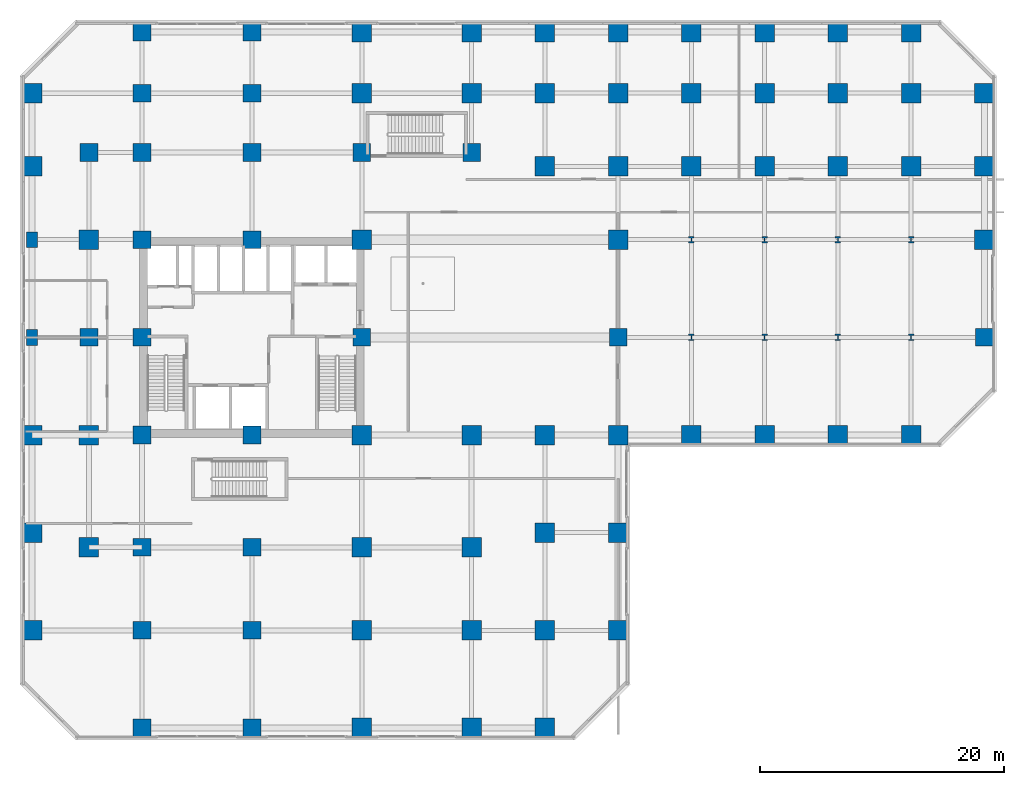
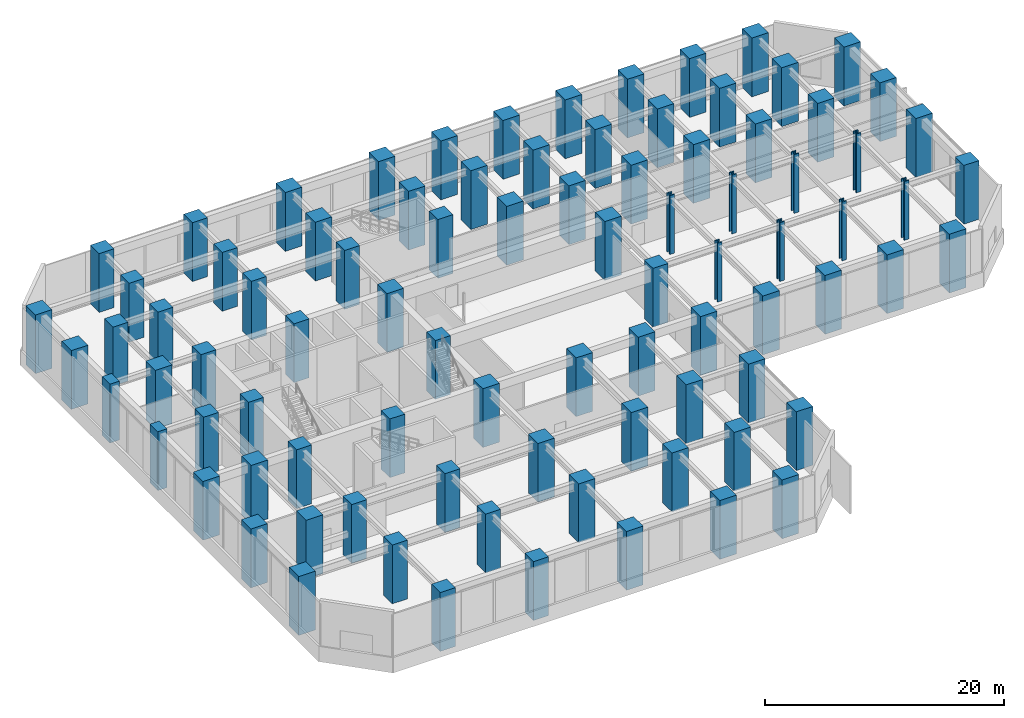
# One storey, part 1 of 34: 88 columns.
"""IFC4 building model written with IfcOpenShell, lengths in metres."""

from ifc_helpers import new_model, si_unit, direction, frame, origin, origin_2d, place, context, subcontext, project, spatial, rectangle, i_section, extrude, source, transform, mapped, material, material_profile, profile_set, type_object, element, save


model = new_model("IFC4")

# Units and contexts
model_context = context("Model", 3, precision=1e-05, world=origin(), true_north=direction((0.0, 1.0)))
body_context = subcontext(model_context, "Body", "Model", "MODEL_VIEW")
ifc_project = project(units=[si_unit("LENGTHUNIT", "METRE"), si_unit("AREAUNIT", "SQUARE_METRE"), si_unit("VOLUMEUNIT", "CUBIC_METRE"), si_unit("PLANEANGLEUNIT", "RADIAN"), si_unit("MASSUNIT", "GRAM", prefix="KILO")], contexts=[model_context])

# Site, building, storey
site_placement = place(None, origin())
site = spatial("IfcSite", under=ifc_project, at=site_placement, CompositionType="ELEMENT")
building_placement = place(site_placement, origin())
building = spatial("IfcBuilding", under=site, at=building_placement, Name="Torre Montelarca", CompositionType="ELEMENT")
storey_placement = place(building_placement, frame((0.0, 0.0, 6.0)))
storey = spatial("IfcBuildingStorey", under=building, at=storey_placement, Name="L02", CompositionType="ELEMENT", Elevation=6.0)

# Columns
ifc_material_1 = material(Name="Concrete C70/85", Category="concrete")
ifc_material_profile_1 = material_profile(ifc_material_1, rectangle(XDim=1.60009765625, YDim=1.60009765625, at=origin_2d()), Name="RC1600X1600", Category="concrete")
ifc_profile_set_1 = profile_set([ifc_material_profile_1], Name="Concrete C70/85")
column_type_1 = type_object("IfcColumnType", Name="COL-RC1600-EXT", PredefinedType="COLUMN", material=ifc_profile_set_1)
shared_shape_1 = source(origin(), body_context, "Body", "SweptSolid", [
    extrude(rectangle(XDim=1.60009765625, YDim=1.60009765625, at=origin_2d()), origin(), (0.0, 0.0, 1.0), 5.99853515625),
])
for number, where, z_axis, x_axis, name in (
    (1, (0.0, 8.0, 0.000732421875), (0.0, 0.0, 1.0), (1.0, 0.0, 0.0), "L02 Perimeter Mega Column 1/B"),
    (2, (0.0, 16.0, 0.000732421875), (0.0, 0.0, 1.0), (1.0, 0.0, 0.0), "L02 Perimeter Mega Column 1/C"),
    (3, (0.0, 24.0, 0.000732421875), (0.0, 0.0, 1.0), (1.0, 0.0, 0.0), "L02 Perimeter Mega Column 1/D"),
    (4, (0.0, 46.0, 0.000732421875), (0.0, 0.0, 1.0), (1.0, 0.0, 0.0), "L02 Perimeter Mega Column 1/G"),
    (5, (0.0, 52.0, 0.000732421875), (0.0, 0.0, 1.0), (1.0, 0.0, 0.0), "L02 Perimeter Mega Column 1/H"),
    (6, (27.0, 0.0, 0.000732421875), (0.0, 0.0, 1.0), (1.0, 0.0, 0.0), "L02 Perimeter Mega Column 4/A"),
    (7, (27.0, 24.0, 0.000732421875), (0.0, 0.0, 1.0), (1.0, 0.0, 0.0), "L02 Perimeter Mega Column 4/D"),
    (8, (27.0, 57.0, 0.000732421875), (0.0, 0.0, 1.0), (1.0, 0.0, 0.0), "L02 Perimeter Mega Column 4/J"),
    (9, (36.0, 0.0, 0.000732421875), (0.0, 0.0, 1.0), (1.0, 0.0, 0.0), "L02 Perimeter Mega Column 5/A"),
    (10, (36.0, 24.0, 0.000732421875), (0.0, 0.0, 1.0), (1.0, 0.0, 0.0), "L02 Perimeter Mega Column 5/D"),
    (11, (36.0, 57.0, 0.000732421875), (0.0, 0.0, 1.0), (1.0, 0.0, 0.0), "L02 Perimeter Mega Column 5/J"),
    (12, (42.0, 0.0, 0.000732421875), (0.0, 0.0, 1.0), (1.0, 0.0, 0.0), "L02 Perimeter Mega Column 6/A"),
    (13, (42.0, 24.0, 0.000732421875), (0.0, 0.0, 1.0), (1.0, 0.0, 0.0), "L02 Perimeter Mega Column 6/D"),
    (14, (42.0, 57.0, 0.000732421875), (0.0, 0.0, 1.0), (1.0, 0.0, 0.0), "L02 Perimeter Mega Column 6/J"),
    (15, (48.0, 8.0, 0.000732421875), (0.0, 0.0, 1.0), (1.0, 0.0, 0.0), "L02 Perimeter Mega Column 7/B"),
    (16, (48.0, 16.0, 0.000732421875), (0.0, 0.0, 1.0), (1.0, 0.0, 0.0), "L02 Perimeter Mega Column 7/C"),
    (17, (48.0, 24.0, 0.000732421875), (0.0, 0.0, 1.0), (1.0, 0.0, 0.0), "L02 Perimeter Mega Column 7/D"),
    (18, (48.0, 57.0, 0.000732421875), (0.0, 0.0, 1.0), (1.0, 0.0, 0.0), "L02 Perimeter Mega Column 7/J"),
    (19, (54.0, 24.0, 0.000732421875), (0.0, 0.0, 1.0), (1.0, 0.0, 0.0), "L02 Perimeter Mega Column 8/D"),
    (20, (54.0, 57.0, 0.000732421875), (0.0, 0.0, 1.0), (1.0, 0.0, 0.0), "L02 Perimeter Mega Column 8/J"),
    (21, (60.0, 24.0, 0.000732421875), (0.0, 0.0, 1.0), (1.0, 0.0, 0.0), "L02 Perimeter Mega Column 9/D"),
    (22, (60.0, 57.0, 0.000732421875), (0.0, 0.0, 1.0), (1.0, 0.0, 0.0), "L02 Perimeter Mega Column 9/J"),
    (23, (66.0, 24.0, 0.000732421875), (0.0, 0.0, 1.0), (1.0, 0.0, 0.0), "L02 Perimeter Mega Column 10/D"),
    (24, (66.0, 57.0, 0.000732421875), (0.0, 0.0, 1.0), (1.0, 0.0, 0.0), "L02 Perimeter Mega Column 10/J"),
    (25, (72.0, 24.0, 0.000732421875), (0.0, 0.0, 1.0), (1.0, 0.0, 0.0), "L02 Perimeter Mega Column 11/D"),
    (26, (72.0, 57.0, 0.000732421875), (0.0, 0.0, 1.0), (1.0, 0.0, 0.0), "L02 Perimeter Mega Column 11/J"),
    (27, (78.0, 40.0, 0.000732421875), (0.0, 0.0, 1.0), (1.0, 0.0, 0.0), "L02 Perimeter Mega Column 12/F"),
    (28, (78.0, 46.0, 0.000732421875), (0.0, 0.0, 1.0), (1.0, 0.0, 0.0), "L02 Perimeter Mega Column 12/G"),
    (29, (78.0, 52.0, 0.000732421875), (0.0, 0.0, 1.0), (1.0, 0.0, 0.0), "L02 Perimeter Mega Column 12/H"),
    (30, (4.64990234375, 24.0, 0.000732421875), (0.0, 0.0, 1.0), (1.0, 0.0, 0.0), "L02 Perimeter Mega Column 1W/D"),
):
    element("IfcColumn", number, at=place(storey_placement, frame(where, z_axis=z_axis, x_axis=x_axis)), inside=storey, type_object=column_type_1, Name=name, PredefinedType="COLUMN", context=body_context, shape_type="MappedRepresentation", body=[
        mapped(shared_shape_1, transform((0.0, 0.0, 0.0), scale=1.0)),
    ])
ifc_material_2 = material(Name="Concrete C55/67", Category="concrete")
ifc_material_profile_2 = material_profile(ifc_material_2, rectangle(XDim=0.89990234375, YDim=1.300048828125, at=origin_2d()), Name="RC1300X900", Category="concrete")
ifc_profile_set_2 = profile_set([ifc_material_profile_2], Name="Concrete C55/67")
column_type_2 = type_object("IfcColumnType", Name="COL-PIL1300-EXT", PredefinedType="PILASTER", material=ifc_profile_set_2)
shared_shape_2 = source(origin(), body_context, "Body", "SweptSolid", [
    extrude(rectangle(XDim=0.89990234375, YDim=1.300048828125, at=origin_2d()), origin(), (0.0, 0.0, 1.0), 5.99853515625),
])
for number, where, z_axis, x_axis, name in (
    (31, (0.0, 32.0, 0.000732421875), (0.0, 0.0, 1.0), (1.0, 0.0, 0.0), "L02 Column 1/E"),
    (32, (0.0, 40.0, 0.000732421875), (0.0, 0.0, 1.0), (1.0, 0.0, 0.0), "L02 Column 1/F"),
):
    element("IfcColumn", number, at=place(storey_placement, frame(where, z_axis=z_axis, x_axis=x_axis)), inside=storey, type_object=column_type_2, Name=name, PredefinedType="PILASTER", context=body_context, shape_type="MappedRepresentation", body=[
        mapped(shared_shape_2, transform((0.0, 0.0, 0.0), scale=1.0)),
    ])
ifc_material_profile_3 = material_profile(ifc_material_1, rectangle(XDim=1.449951171875, YDim=1.449951171875, at=origin_2d()), Name="RC1450X1450", Category="concrete")
ifc_profile_set_3 = profile_set([ifc_material_profile_3], Name="Concrete C70/85")
column_type_3 = type_object("IfcColumnType", Name="COL-RC1450-EXT", PredefinedType="COLUMN", material=ifc_profile_set_3)
shared_shape_3 = source(origin(), body_context, "Body", "SweptSolid", [
    extrude(rectangle(XDim=1.449951171875, YDim=1.449951171875, at=origin_2d()), origin(), (0.0, 0.0, 1.0), 5.99853515625),
])
for number, where, z_axis, x_axis, name in (
    (33, (9.0, 0.0, 0.000732421875), (0.0, 0.0, 1.0), (1.0, 0.0, 0.0), "L02 Perimeter Mega Column 2/A"),
    (34, (9.0, 24.0, 0.000732421875), (0.0, 0.0, 1.0), (1.0, 0.0, 0.0), "L02 Perimeter Mega Column 2/D"),
    (35, (9.0, 57.0, 0.000732421875), (0.0, 0.0, 1.0), (1.0, 0.0, 0.0), "L02 Perimeter Mega Column 2/J"),
    (36, (18.0, 0.0, 0.000732421875), (0.0, 0.0, 1.0), (1.0, 0.0, 0.0), "L02 Perimeter Mega Column 3/A"),
    (37, (18.0, 24.0, 0.000732421875), (0.0, 0.0, 1.0), (1.0, 0.0, 0.0), "L02 Perimeter Mega Column 3/D"),
    (38, (18.0, 57.0, 0.000732421875), (0.0, 0.0, 1.0), (1.0, 0.0, 0.0), "L02 Perimeter Mega Column 3/J"),
    (39, (78.0, 32.0, 0.000732421875), (0.0, 0.0, 1.0), (1.0, 0.0, 0.0), "L02 Perimeter Mega Column 12/E"),
):
    element("IfcColumn", number, at=place(storey_placement, frame(where, z_axis=z_axis, x_axis=x_axis)), inside=storey, type_object=column_type_3, Name=name, PredefinedType="COLUMN", context=body_context, shape_type="MappedRepresentation", body=[
        mapped(shared_shape_3, transform((0.0, 0.0, 0.0), scale=1.0)),
    ])
ifc_material_profile_4 = material_profile(ifc_material_1, rectangle(XDim=1.449951171875, YDim=1.449951171875, at=origin_2d()), Name="RC1450X1450", Category="concrete")
ifc_profile_set_4 = profile_set([ifc_material_profile_4], Name="Concrete C70/85")
column_type_4 = type_object("IfcColumnType", Name="COL-RC1450", PredefinedType="COLUMN", material=ifc_profile_set_4)
shared_shape_4 = source(origin(), body_context, "Body", "SweptSolid", [
    extrude(rectangle(XDim=1.449951171875, YDim=1.449951171875, at=origin_2d()), origin(), (0.0, 0.0, 1.0), 5.99853515625),
])
for number, where, z_axis, x_axis, name in (
    (40, (9.0, 8.0, 0.000732421875), (0.0, 0.0, 1.0), (1.0, 0.0, 0.0), "L02 Column 2/B"),
    (41, (9.0, 32.0, 0.000732421875), (0.0, 0.0, 1.0), (1.0, 0.0, 0.0), "L02 Column 2/E"),
    (42, (9.0, 40.0, 0.000732421875), (0.0, 0.0, 1.0), (1.0, 0.0, 0.0), "L02 Column 2/F"),
    (43, (9.0, 52.0, 0.000732421875), (0.0, 0.0, 1.0), (1.0, 0.0, 0.0), "L02 Column 2/H"),
    (44, (9.0, 14.800048828125, 0.000732421875), (0.0, 0.0, 1.0), (1.0, 0.0, 0.0), "L02 Column 2/CS"),
    (45, (9.0, 47.14990234375, 0.000732421875), (0.0, 0.0, 1.0), (1.0, 0.0, 0.0), "L02 Column 2/GN"),
    (46, (18.0, 8.0, 0.000732421875), (0.0, 0.0, 1.0), (1.0, 0.0, 0.0), "L02 Column 3/B"),
    (47, (18.0, 40.0, 0.000732421875), (0.0, 0.0, 1.0), (1.0, 0.0, 0.0), "L02 Column 3/F"),
    (48, (18.0, 52.0, 0.000732421875), (0.0, 0.0, 1.0), (1.0, 0.0, 0.0), "L02 Column 3/H"),
    (49, (18.0, 14.800048828125, 0.000732421875), (0.0, 0.0, 1.0), (1.0, 0.0, 0.0), "L02 Column 3/CS"),
    (50, (18.0, 47.14990234375, 0.000732421875), (0.0, 0.0, 1.0), (1.0, 0.0, 0.0), "L02 Column 3/GN"),
    (51, (27.0, 32.0, 0.000732421875), (0.0, 0.0, 1.0), (1.0, 0.0, 0.0), "L02 Column 4/E"),
    (52, (27.0, 47.14990234375, 0.000732421875), (0.0, 0.0, 1.0), (1.0, 0.0, 0.0), "L02 Column 4/GN"),
    (53, (36.0, 47.14990234375, 0.000732421875), (0.0, 0.0, 1.0), (1.0, 0.0, 0.0), "L02 Column 5/GN"),
    (54, (48.0, 32.0, 0.000732421875), (0.0, 0.0, 1.0), (1.0, 0.0, 0.0), "L02 Column 7/E"),
    (55, (4.64990234375, 32.0, 0.000732421875), (0.0, 0.0, 1.0), (1.0, 0.0, 0.0), "L02 Column 1W/E"),
    (56, (4.64990234375, 47.14990234375, 0.000732421875), (0.0, 0.0, 1.0), (1.0, 0.0, 0.0), "L02 Column 1W/GN"),
):
    element("IfcColumn", number, at=place(storey_placement, frame(where, z_axis=z_axis, x_axis=x_axis)), inside=storey, type_object=column_type_4, Name=name, PredefinedType="COLUMN", context=body_context, shape_type="MappedRepresentation", body=[
        mapped(shared_shape_4, transform((0.0, 0.0, 0.0), scale=1.0)),
    ])
ifc_material_profile_5 = material_profile(ifc_material_1, rectangle(XDim=1.60009765625, YDim=1.60009765625, at=origin_2d()), Name="RC1600X1600", Category="concrete")
ifc_profile_set_5 = profile_set([ifc_material_profile_5], Name="Concrete C70/85")
column_type_5 = type_object("IfcColumnType", Name="COL-RC1600", PredefinedType="COLUMN", material=ifc_profile_set_5)
shared_shape_5 = source(origin(), body_context, "Body", "SweptSolid", [
    extrude(rectangle(XDim=1.60009765625, YDim=1.60009765625, at=origin_2d()), origin(), (0.0, 0.0, 1.0), 5.99853515625),
])
for number, where, z_axis, x_axis, name in (
    (57, (27.0, 8.0, 0.000732421875), (0.0, 0.0, 1.0), (1.0, 0.0, 0.0), "L02 Column 4/B"),
    (58, (27.0, 40.0, 0.000732421875), (0.0, 0.0, 1.0), (1.0, 0.0, 0.0), "L02 Column 4/F"),
    (59, (27.0, 52.0, 0.000732421875), (0.0, 0.0, 1.0), (1.0, 0.0, 0.0), "L02 Column 4/H"),
    (60, (27.0, 14.800048828125, 0.000732421875), (0.0, 0.0, 1.0), (1.0, 0.0, 0.0), "L02 Column 4/CS"),
    (61, (36.0, 8.0, 0.000732421875), (0.0, 0.0, 1.0), (1.0, 0.0, 0.0), "L02 Column 5/B"),
    (62, (36.0, 52.0, 0.000732421875), (0.0, 0.0, 1.0), (1.0, 0.0, 0.0), "L02 Column 5/H"),
    (63, (36.0, 14.800048828125, 0.000732421875), (0.0, 0.0, 1.0), (1.0, 0.0, 0.0), "L02 Column 5/CS"),
    (64, (42.0, 8.0, 0.000732421875), (0.0, 0.0, 1.0), (1.0, 0.0, 0.0), "L02 Column 6/B"),
    (65, (42.0, 16.0, 0.000732421875), (0.0, 0.0, 1.0), (1.0, 0.0, 0.0), "L02 Column 6/C"),
    (66, (42.0, 46.0, 0.000732421875), (0.0, 0.0, 1.0), (1.0, 0.0, 0.0), "L02 Column 6/G"),
    (67, (42.0, 52.0, 0.000732421875), (0.0, 0.0, 1.0), (1.0, 0.0, 0.0), "L02 Column 6/H"),
    (68, (48.0, 40.0, 0.000732421875), (0.0, 0.0, 1.0), (1.0, 0.0, 0.0), "L02 Column 7/F"),
    (69, (48.0, 46.0, 0.000732421875), (0.0, 0.0, 1.0), (1.0, 0.0, 0.0), "L02 Column 7/G"),
    (70, (48.0, 52.0, 0.000732421875), (0.0, 0.0, 1.0), (1.0, 0.0, 0.0), "L02 Column 7/H"),
    (71, (54.0, 46.0, 0.000732421875), (0.0, 0.0, 1.0), (1.0, 0.0, 0.0), "L02 Column 8/G"),
    (72, (54.0, 52.0, 0.000732421875), (0.0, 0.0, 1.0), (1.0, 0.0, 0.0), "L02 Column 8/H"),
    (73, (60.0, 46.0, 0.000732421875), (0.0, 0.0, 1.0), (1.0, 0.0, 0.0), "L02 Column 9/G"),
    (74, (60.0, 52.0, 0.000732421875), (0.0, 0.0, 1.0), (1.0, 0.0, 0.0), "L02 Column 9/H"),
    (75, (66.0, 46.0, 0.000732421875), (0.0, 0.0, 1.0), (1.0, 0.0, 0.0), "L02 Column 10/G"),
    (76, (66.0, 52.0, 0.000732421875), (0.0, 0.0, 1.0), (1.0, 0.0, 0.0), "L02 Column 10/H"),
    (77, (72.0, 46.0, 0.000732421875), (0.0, 0.0, 1.0), (1.0, 0.0, 0.0), "L02 Column 11/G"),
    (78, (72.0, 52.0, 0.000732421875), (0.0, 0.0, 1.0), (1.0, 0.0, 0.0), "L02 Column 11/H"),
    (79, (4.64990234375, 40.0, 0.000732421875), (0.0, 0.0, 1.0), (1.0, 0.0, 0.0), "L02 Column 1W/F"),
    (80, (4.64990234375, 14.800048828125, 0.000732421875), (0.0, 0.0, 1.0), (1.0, 0.0, 0.0), "L02 Column 1W/CS"),
):
    element("IfcColumn", number, at=place(storey_placement, frame(where, z_axis=z_axis, x_axis=x_axis)), inside=storey, type_object=column_type_5, Name=name, PredefinedType="COLUMN", context=body_context, shape_type="MappedRepresentation", body=[
        mapped(shared_shape_5, transform((0.0, 0.0, 0.0), scale=1.0)),
    ])
ifc_material_3 = material(Name="Steel ASTM A992 Grade 50", Category="steel")
ifc_material_profile_6 = material_profile(ifc_material_3, i_section(OverallWidth=0.44189453125, OverallDepth=0.531005859375, WebThickness=0.06591796875, FlangeThickness=0.10595703125, FilletRadius=0.014892578125, at=origin_2d()), Name="W360X900", Category="steel")
ifc_profile_set_6 = profile_set([ifc_material_profile_6], Name="Steel ASTM A992 Grade 50")
column_type_6 = type_object("IfcColumnType", Name="COL-W360X900", PredefinedType="COLUMN", material=ifc_profile_set_6)
shared_shape_6 = source(origin(), body_context, "Body", "SweptSolid", [
    extrude(i_section(OverallWidth=0.44189453125, OverallDepth=0.531005859375, WebThickness=0.06591796875, FlangeThickness=0.10595703125, FilletRadius=0.014892578125, at=origin_2d()), origin(), (0.0, 0.0, 1.0), 5.99853515625),
])
for number, where, z_axis, x_axis, name in (
    (81, (54.0, 32.0, 0.000732421875), (0.0, 0.0, 1.0), (1.0, 0.0, 0.0), "L02 Column 8/E"),
    (82, (54.0, 40.0, 0.000732421875), (0.0, 0.0, 1.0), (1.0, 0.0, 0.0), "L02 Column 8/F"),
    (83, (60.0, 32.0, 0.000732421875), (0.0, 0.0, 1.0), (1.0, 0.0, 0.0), "L02 Column 9/E"),
    (84, (60.0, 40.0, 0.000732421875), (0.0, 0.0, 1.0), (1.0, 0.0, 0.0), "L02 Column 9/F"),
    (85, (66.0, 32.0, 0.000732421875), (0.0, 0.0, 1.0), (1.0, 0.0, 0.0), "L02 Column 10/E"),
    (86, (66.0, 40.0, 0.000732421875), (0.0, 0.0, 1.0), (1.0, 0.0, 0.0), "L02 Column 10/F"),
    (87, (72.0, 32.0, 0.000732421875), (0.0, 0.0, 1.0), (1.0, 0.0, 0.0), "L02 Column 11/E"),
    (88, (72.0, 40.0, 0.000732421875), (0.0, 0.0, 1.0), (1.0, 0.0, 0.0), "L02 Column 11/F"),
):
    element("IfcColumn", number, at=place(storey_placement, frame(where, z_axis=z_axis, x_axis=x_axis)), inside=storey, type_object=column_type_6, Name=name, PredefinedType="COLUMN", context=body_context, shape_type="MappedRepresentation", body=[
        mapped(shared_shape_6, transform((0.0, 0.0, 0.0), scale=1.0)),
    ])

save(model, "model.ifc")
